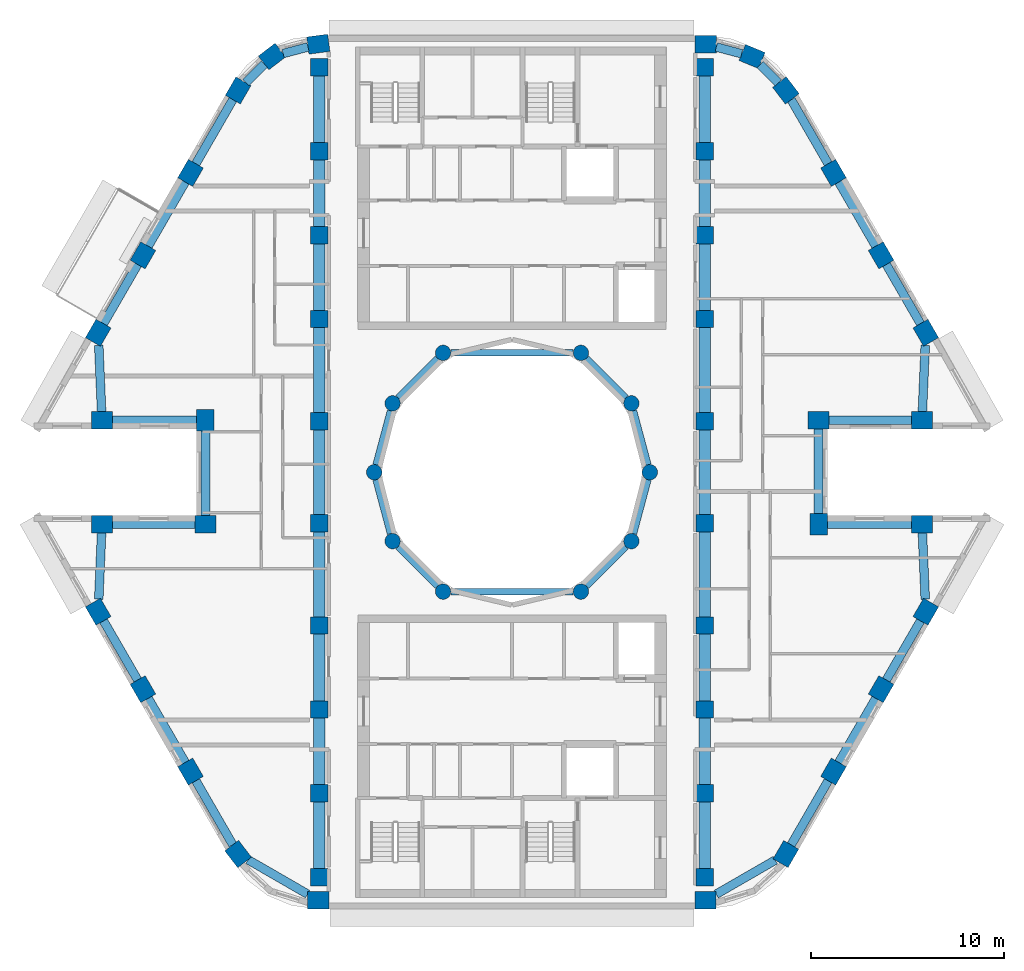
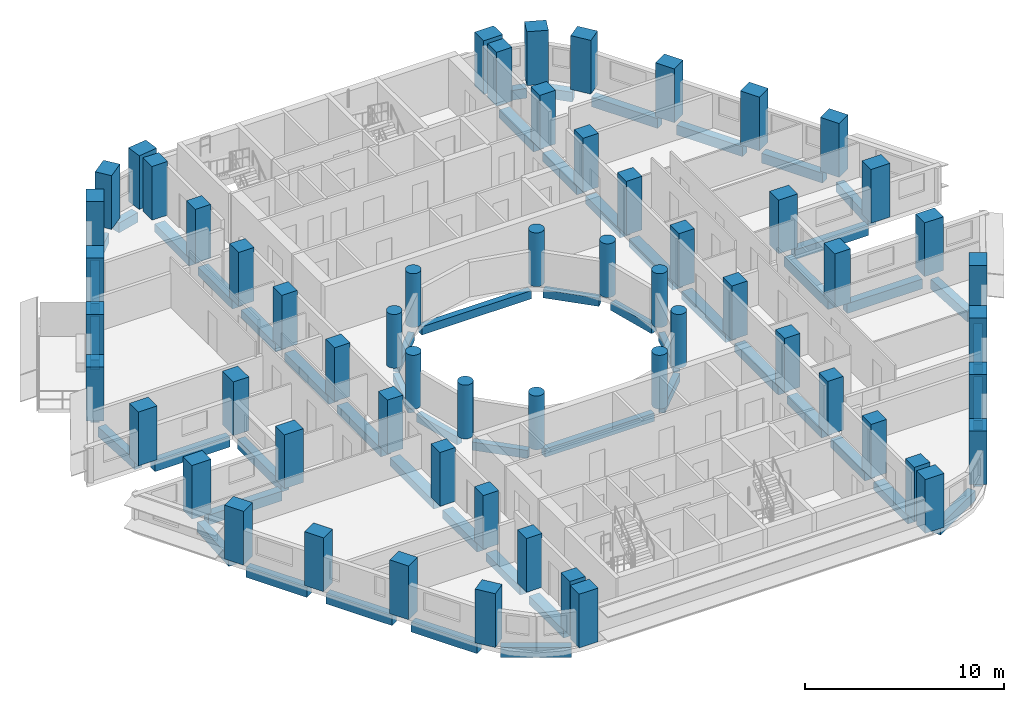
# One storey, part 1 of 13: 60 columns, 56 beams.
"""IFC4 building model written with IfcOpenShell, lengths in metres."""

from ifc_helpers import new_model, si_unit, direction, frame, origin, origin_2d, place, context, subcontext, project, spatial, rectangle, circle, extrude, material, material_profile, profile_set, type_object, element, save


model = new_model("IFC4")

# Units and contexts
model_context = context("Model", 3, precision=1e-05, world=origin(), true_north=direction((0.0, 1.0)))
body_context = subcontext(model_context, "Body", "Model", "MODEL_VIEW")
ifc_project = project(units=[si_unit("LENGTHUNIT", "METRE"), si_unit("AREAUNIT", "SQUARE_METRE"), si_unit("VOLUMEUNIT", "CUBIC_METRE"), si_unit("PLANEANGLEUNIT", "RADIAN"), si_unit("MASSUNIT", "GRAM", prefix="KILO")], contexts=[model_context])

# Site, building, storey
site_placement = place(None, origin())
site = spatial("IfcSite", under=ifc_project, at=site_placement, CompositionType="ELEMENT")
building_placement = place(site_placement, origin())
building = spatial("IfcBuilding", under=site, at=building_placement, Name="Nakaniwa Court", CompositionType="ELEMENT")
storey_placement = place(building_placement, frame((0.0, 0.0, 269.10009765625)))
storey = spatial("IfcBuildingStorey", under=building, at=storey_placement, Name="L71", CompositionType="ELEMENT", Elevation=269.10009765625)

# Columns
ifc_material = material(Name="Concrete C80/100", Category="concrete")
ifc_material_profile_1 = material_profile(ifc_material, rectangle(XDim=1.10009765625, YDim=0.89990234375, at=origin_2d()), Name="Concrete C80/100 RC 1100x900 perimeter column")
ifc_profile_set_1 = profile_set([ifc_material_profile_1], Name="Concrete C80/100")
column_type_1 = type_object("IfcColumnType", Name="Concrete C80/100 RC 1100x900 perimeter column", PredefinedType="COLUMN", material=ifc_profile_set_1)
for number, where, z_axis, x_axis, name in (
    (1, (69.95458984375, 102.199951171875, 0.0), (0.0, 0.0, 1.0), (-0.991442583111, -0.130543496177, 0.0), "COLUMN CO-01"),
    (2, (67.552001953125, 101.560302734375, 0.0), (0.0, 0.0, 1.0), (-0.793363965062, -0.608747582288, 0.0), "COLUMN CO-02"),
    (3, (65.796875, 99.799560546875, 0.0), (0.0, 0.0, 1.0), (-0.5, -0.866025403784, 0.0), "COLUMN CO-03"),
    (4, (63.328857421875, 95.524658203125, 0.0), (0.0, 0.0, 1.0), (-0.5, -0.866025403784, 0.0), "COLUMN CO-04"),
    (5, (60.860595703125, 91.249755859375, 0.0), (0.0, 0.0, 1.0), (-0.5, -0.866025403784, 0.0), "COLUMN CO-05"),
    (6, (58.541015625, 87.232177734375, 0.0), (0.0, 0.0, 1.0), (-0.5, -0.866025403784, 0.0), "COLUMN CO-06"),
    (7, (58.736083984375, 82.699951171875, 0.0), (0.0, 0.0, 1.0), (1.0, 0.0, 0.0), "COLUMN CO-08"),
    (8, (64.1005859375, 82.699951171875, 0.0), (0.0, 0.0, 1.0), (0.0, -1.0, 0.0), "COLUMN CO-09"),
    (9, (64.1005859375, 77.300048828125, 0.0), (0.0, 0.0, 1.0), (-1.0, 0.0, 0.0), "COLUMN CO-10"),
    (10, (58.736083984375, 77.300048828125, 0.0), (0.0, 0.0, 1.0), (-1.0, 0.0, 0.0), "COLUMN CO-11"),
    (11, (58.541015625, 72.767822265625, 0.0), (0.0, 0.0, 1.0), (0.5, -0.866025403784, 0.0), "COLUMN CO-13"),
    (12, (60.860595703125, 68.750244140625, 0.0), (0.0, 0.0, 1.0), (0.5, -0.866025403784, 0.0), "COLUMN CO-14"),
    (13, (63.328857421875, 64.475341796875, 0.0), (0.0, 0.0, 1.0), (0.5, -0.866025403784, 0.0), "COLUMN CO-15"),
    (14, (65.796875, 60.200439453125, 0.0), (0.0, 0.0, 1.0), (0.608761429009, -0.793353340291, 0.0), "COLUMN CO-16"),
    (15, (69.95458984375, 57.800048828125, 0.0), (0.0, 0.0, 1.0), (1.0, 0.0, 0.0), "COLUMN CO-17"),
    (16, (90.03955078125, 57.800048828125, 0.0), (0.0, 0.0, 1.0), (1.0, 0.0, 0.0), "COLUMN CO-21"),
    (17, (94.203125, 60.200439453125, 0.0), (0.0, 0.0, 1.0), (0.5, 0.866025403784, 0.0), "COLUMN CO-22"),
    (18, (96.671142578125, 64.475341796875, 0.0), (0.0, 0.0, 1.0), (0.5, 0.866025403784, 0.0), "COLUMN CO-23"),
    (19, (99.139404296875, 68.750244140625, 0.0), (0.0, 0.0, 1.0), (0.5, 0.866025403784, 0.0), "COLUMN CO-24"),
    (20, (101.458984375, 72.767822265625, 0.0), (0.0, 0.0, 1.0), (0.5, 0.866025403784, 0.0), "COLUMN CO-25"),
    (21, (101.263916015625, 77.300048828125, 0.0), (0.0, 0.0, 1.0), (-1.0, 0.0, 0.0), "COLUMN CO-27"),
    (22, (95.8994140625, 77.300048828125, 0.0), (0.0, 0.0, 1.0), (0.0, 1.0, 0.0), "COLUMN CO-28"),
    (23, (95.8994140625, 82.699951171875, 0.0), (0.0, 0.0, 1.0), (1.0, 0.0, 0.0), "COLUMN CO-29"),
    (24, (101.263916015625, 82.699951171875, 0.0), (0.0, 0.0, 1.0), (1.0, 0.0, 0.0), "COLUMN CO-30"),
    (25, (101.458984375, 87.232177734375, 0.0), (0.0, 0.0, 1.0), (-0.5, 0.866025403784, 0.0), "COLUMN CO-32"),
    (26, (99.139404296875, 91.249755859375, 0.0), (0.0, 0.0, 1.0), (-0.5, 0.866025403784, 0.0), "COLUMN CO-33"),
    (27, (96.671142578125, 95.524658203125, 0.0), (0.0, 0.0, 1.0), (-0.5, 0.866025403784, 0.0), "COLUMN CO-34"),
    (28, (94.203125, 99.799560546875, 0.0), (0.0, 0.0, 1.0), (-0.608761429009, 0.793353340291, 0.0), "COLUMN CO-35"),
    (29, (92.447998046875, 101.560302734375, 0.0), (0.0, 0.0, 1.0), (-0.923879532511, 0.382683432365, 0.0), "COLUMN CO-36"),
    (30, (90.04541015625, 102.199951171875, 0.0), (0.0, 0.0, 1.0), (-1.0, 0.0, 0.0), "COLUMN CO-37"),
):
    element("IfcColumn", number, at=place(storey_placement, frame(where, z_axis=z_axis, x_axis=x_axis)), inside=storey, type_object=column_type_1, Name=name, PredefinedType="COLUMN", context=body_context, shape_type="SweptSolid", body=[
        extrude(rectangle(XDim=1.10009765625, YDim=0.89990234375, at=origin_2d()), origin(), (0.0, 0.0, 1.0), 3.2998046875),
    ])
ifc_material_profile_2 = material_profile(ifc_material, rectangle(XDim=0.89990234375, YDim=0.89990234375, at=origin_2d()), Name="Concrete C80/100 RC 900x900 spine column")
ifc_profile_set_2 = profile_set([ifc_material_profile_2], Name="Concrete C80/100")
column_type_2 = type_object("IfcColumnType", Name="Concrete C80/100 RC 900x900 spine column", PredefinedType="COLUMN", material=ifc_profile_set_2)
for number, where, z_axis, x_axis, name in (
    (31, (90.0, 59.0, 0.0), (0.0, 0.0, 1.0), (0.0, 1.0, 0.0), "COLUMN CS-01"),
    (32, (90.0, 63.35009765625, 0.0), (0.0, 0.0, 1.0), (0.0, 1.0, 0.0), "COLUMN CS-02"),
    (33, (90.0, 67.699951171875, 0.0), (0.0, 0.0, 1.0), (0.0, 1.0, 0.0), "COLUMN CS-03"),
    (34, (90.0, 72.050048828125, 0.0), (0.0, 0.0, 1.0), (0.0, 1.0, 0.0), "COLUMN CS-04"),
    (35, (90.0, 77.35009765625, 0.0), (0.0, 0.0, 1.0), (0.0, 1.0, 0.0), "COLUMN CS-05"),
    (36, (90.0, 82.64990234375, 0.0), (0.0, 0.0, 1.0), (0.0, 1.0, 0.0), "COLUMN CS-06"),
    (37, (90.0, 87.949951171875, 0.0), (0.0, 0.0, 1.0), (0.0, 1.0, 0.0), "COLUMN CS-07"),
    (38, (90.0, 92.300048828125, 0.0), (0.0, 0.0, 1.0), (0.0, 1.0, 0.0), "COLUMN CS-08"),
    (39, (90.0, 96.64990234375, 0.0), (0.0, 0.0, 1.0), (0.0, 1.0, 0.0), "COLUMN CS-09"),
    (40, (90.0, 101.0, 0.0), (0.0, 0.0, 1.0), (0.0, 1.0, 0.0), "COLUMN CS-10"),
    (41, (70.0, 101.0, 0.0), (0.0, 0.0, 1.0), (0.0, -1.0, 0.0), "COLUMN CS-11"),
    (42, (70.0, 96.64990234375, 0.0), (0.0, 0.0, 1.0), (0.0, -1.0, 0.0), "COLUMN CS-12"),
    (43, (70.0, 92.300048828125, 0.0), (0.0, 0.0, 1.0), (0.0, -1.0, 0.0), "COLUMN CS-13"),
    (44, (70.0, 87.949951171875, 0.0), (0.0, 0.0, 1.0), (0.0, -1.0, 0.0), "COLUMN CS-14"),
    (45, (70.0, 82.64990234375, 0.0), (0.0, 0.0, 1.0), (0.0, -1.0, 0.0), "COLUMN CS-15"),
    (46, (70.0, 77.35009765625, 0.0), (0.0, 0.0, 1.0), (0.0, -1.0, 0.0), "COLUMN CS-16"),
    (47, (70.0, 72.050048828125, 0.0), (0.0, 0.0, 1.0), (0.0, -1.0, 0.0), "COLUMN CS-17"),
    (48, (70.0, 67.699951171875, 0.0), (0.0, 0.0, 1.0), (0.0, -1.0, 0.0), "COLUMN CS-18"),
    (49, (70.0, 63.35009765625, 0.0), (0.0, 0.0, 1.0), (0.0, -1.0, 0.0), "COLUMN CS-19"),
    (50, (70.0, 59.0, 0.0), (0.0, 0.0, 1.0), (0.0, -1.0, 0.0), "COLUMN CS-20"),
):
    element("IfcColumn", number, at=place(storey_placement, frame(where, z_axis=z_axis, x_axis=x_axis)), inside=storey, type_object=column_type_2, Name=name, PredefinedType="COLUMN", context=body_context, shape_type="SweptSolid", body=[
        extrude(rectangle(XDim=0.89990234375, YDim=0.89990234375, at=origin_2d()), origin(), (0.0, 0.0, 1.0), 3.2998046875),
    ])
ifc_material_profile_3 = material_profile(ifc_material, circle(Radius=0.39990234375, at=origin_2d()), Name="Concrete C80/100 RC D800 inner ring column")
ifc_profile_set_3 = profile_set([ifc_material_profile_3], Name="Concrete C80/100")
column_type_3 = type_object("IfcColumnType", Name="Concrete C80/100 RC D800 inner ring column", PredefinedType="COLUMN", material=ifc_profile_set_3)
for number, where, z_axis, x_axis, name in (
    (51, (87.14990234375, 80.0, 0.0), (0.0, 0.0, 1.0), (0.0, 1.0, 0.0), "COLUMN CI-01"),
    (52, (86.192138671875, 83.574951171875, 0.0), (0.0, 0.0, 1.0), (-0.5, 0.866025403784, 0.0), "COLUMN CI-02"),
    (53, (83.574951171875, 86.192138671875, 0.0), (0.0, 0.0, 1.0), (-0.866025403784, 0.5, 0.0), "COLUMN CI-03"),
    (54, (76.425048828125, 86.192138671875, 0.0), (0.0, 0.0, 1.0), (-0.866025403784, -0.5, 0.0), "COLUMN CI-05"),
    (55, (73.807861328125, 83.574951171875, 0.0), (0.0, 0.0, 1.0), (-0.5, -0.866025403784, 0.0), "COLUMN CI-06"),
    (56, (72.85009765625, 80.0, 0.0), (0.0, 0.0, 1.0), (0.0, -1.0, 0.0), "COLUMN CI-07"),
    (57, (73.807861328125, 76.425048828125, 0.0), (0.0, 0.0, 1.0), (0.5, -0.866025403784, 0.0), "COLUMN CI-08"),
    (58, (76.425048828125, 73.807861328125, 0.0), (0.0, 0.0, 1.0), (0.866025403784, -0.5, 0.0), "COLUMN CI-09"),
    (59, (83.574951171875, 73.807861328125, 0.0), (0.0, 0.0, 1.0), (0.866025403784, 0.5, 0.0), "COLUMN CI-11"),
    (60, (86.192138671875, 76.425048828125, 0.0), (0.0, 0.0, 1.0), (0.5, 0.866025403784, 0.0), "COLUMN CI-12"),
):
    element("IfcColumn", number, at=place(storey_placement, frame(where, z_axis=z_axis, x_axis=x_axis)), inside=storey, type_object=column_type_3, Name=name, PredefinedType="COLUMN", context=body_context, shape_type="SweptSolid", body=[
        extrude(circle(Radius=0.39990234375, at=origin_2d()), origin(), (0.0, 0.0, 1.0), 3.2998046875),
    ])

# Beams
ifc_material_profile_4 = material_profile(ifc_material, rectangle(XDim=0.35009765625, YDim=0.5, at=origin_2d()), Name="Concrete C80/100 RC 350x500 ring beam")
ifc_profile_set_4 = profile_set([ifc_material_profile_4], Name="Concrete C80/100")
beam_type_1 = type_object("IfcBeamType", Name="Concrete C80/100 RC 350x500 ring beam", PredefinedType="BEAM", material=ifc_profile_set_4)
beam_1_placement = place(storey_placement, frame((87.04638671875, 80.386474609375, -0.525146484375), z_axis=(-0.258778150207, 0.965936783115, 0.0), x_axis=(-0.965936783115, -0.258778150207, 0.0)))
element("IfcBeam", 61, at=beam_1_placement, inside=storey, type_object=beam_type_1, Name="RING BEAM", PredefinedType="BEAM", context=body_context, shape_type="SweptSolid", body=[
    extrude(rectangle(XDim=0.35009765625, YDim=0.5, at=origin_2d()), origin(), (0.0, 0.0, 1.0), 2.901123046875),
])
beam_2_placement = place(storey_placement, frame((85.9091796875, 83.85791015625, -0.525146484375), z_axis=(-0.707106781187, 0.707106781187, 0.0), x_axis=(-0.707106781187, -0.707106781187, 0.0)))
element("IfcBeam", 62, at=beam_2_placement, inside=storey, type_object=beam_type_1, Name="RING BEAM", PredefinedType="BEAM", context=body_context, shape_type="SweptSolid", body=[
    extrude(rectangle(XDim=0.35009765625, YDim=0.5, at=origin_2d()), origin(), (0.0, 0.0, 1.0), 2.90087890625),
])
beam_3_placement = place(storey_placement, frame((83.175048828125, 86.192138671875, -0.525146484375), z_axis=(-1.0, 0.0, 0.0), x_axis=(0.0, -1.0, 0.0)))
element("IfcBeam", 63, at=beam_3_placement, inside=storey, type_object=beam_type_1, Name="RING BEAM", PredefinedType="BEAM", context=body_context, shape_type="SweptSolid", body=[
    extrude(rectangle(XDim=0.35009765625, YDim=0.5, at=origin_2d()), origin(), (0.0, 0.0, 1.0), 6.35009765625),
])
beam_4_placement = place(storey_placement, frame((76.14208984375, 85.9091796875, -0.525146484375), z_axis=(-0.707106781187, -0.707106781187, 0.0), x_axis=(0.707106781187, -0.707106781187, 0.0)))
element("IfcBeam", 64, at=beam_4_placement, inside=storey, type_object=beam_type_1, Name="RING BEAM", PredefinedType="BEAM", context=body_context, shape_type="SweptSolid", body=[
    extrude(rectangle(XDim=0.35009765625, YDim=0.5, at=origin_2d()), origin(), (0.0, 0.0, 1.0), 2.90087890625),
])
for number, where, z_axis, x_axis, name in (
    (65, (73.704345703125, 83.188720703125, -0.525146484375), (-0.258778150207, -0.965936783115, 0.0), (0.965936783115, -0.258778150207, 0.0), "RING BEAM"),
    (66, (72.95361328125, 79.613525390625, -0.525146484375), (0.258778150207, -0.965936783115, 0.0), (0.965936783115, 0.258778150207, 0.0), "RING BEAM"),
):
    element("IfcBeam", number, at=place(storey_placement, frame(where, z_axis=z_axis, x_axis=x_axis)), inside=storey, type_object=beam_type_1, Name=name, PredefinedType="BEAM", context=body_context, shape_type="SweptSolid", body=[
        extrude(rectangle(XDim=0.35009765625, YDim=0.5, at=origin_2d()), origin(), (0.0, 0.0, 1.0), 2.901123046875),
    ])
beam_5_placement = place(storey_placement, frame((74.0908203125, 76.14208984375, -0.525146484375), z_axis=(0.707106781187, -0.707106781187, 0.0), x_axis=(0.707106781187, 0.707106781187, 0.0)))
element("IfcBeam", 67, at=beam_5_placement, inside=storey, type_object=beam_type_1, Name="RING BEAM", PredefinedType="BEAM", context=body_context, shape_type="SweptSolid", body=[
    extrude(rectangle(XDim=0.35009765625, YDim=0.5, at=origin_2d()), origin(), (0.0, 0.0, 1.0), 2.90087890625),
])
beam_6_placement = place(storey_placement, frame((76.824951171875, 73.807861328125, -0.525146484375), z_axis=(1.0, 0.0, 0.0), x_axis=(0.0, 1.0, 0.0)))
element("IfcBeam", 68, at=beam_6_placement, inside=storey, type_object=beam_type_1, Name="RING BEAM", PredefinedType="BEAM", context=body_context, shape_type="SweptSolid", body=[
    extrude(rectangle(XDim=0.35009765625, YDim=0.5, at=origin_2d()), origin(), (0.0, 0.0, 1.0), 6.35009765625),
])
beam_7_placement = place(storey_placement, frame((83.85791015625, 74.0908203125, -0.525146484375), z_axis=(0.707106781187, 0.707106781187, 0.0), x_axis=(-0.707106781187, 0.707106781187, 0.0)))
element("IfcBeam", 69, at=beam_7_placement, inside=storey, type_object=beam_type_1, Name="RING BEAM", PredefinedType="BEAM", context=body_context, shape_type="SweptSolid", body=[
    extrude(rectangle(XDim=0.35009765625, YDim=0.5, at=origin_2d()), origin(), (0.0, 0.0, 1.0), 2.90087890625),
])
beam_8_placement = place(storey_placement, frame((86.295654296875, 76.811279296875, -0.525146484375), z_axis=(0.258778150207, 0.965936783115, 0.0), x_axis=(-0.965936783115, 0.258778150207, 0.0)))
element("IfcBeam", 70, at=beam_8_placement, inside=storey, type_object=beam_type_1, Name="RING BEAM", PredefinedType="BEAM", context=body_context, shape_type="SweptSolid", body=[
    extrude(rectangle(XDim=0.35009765625, YDim=0.5, at=origin_2d()), origin(), (0.0, 0.0, 1.0), 2.901123046875),
])
ifc_material_profile_5 = material_profile(ifc_material, rectangle(XDim=0.449951171875, YDim=0.60009765625, at=origin_2d()), Name="Concrete C80/100 RC 450x600 spandrel beam")
ifc_profile_set_5 = profile_set([ifc_material_profile_5], Name="Concrete C80/100")
beam_type_2 = type_object("IfcBeamType", Name="Concrete C80/100 RC 450x600 spandrel beam", PredefinedType="BEAM", material=ifc_profile_set_5)
beam_9_placement = place(storey_placement, frame((69.418701171875, 102.057373046875, -0.5751953125), z_axis=(-0.966286479475, -0.257469298332, 0.0), x_axis=(0.257469298332, -0.966286479475, 0.0)))
element("IfcBeam", 71, at=beam_9_placement, inside=storey, type_object=beam_type_2, Name="SPANDREL BEAM", PredefinedType="BEAM", context=body_context, shape_type="SweptSolid", body=[
    extrude(rectangle(XDim=0.449951171875, YDim=0.60009765625, at=origin_2d()), origin(), (0.0, 0.0, 1.0), 1.3359375),
])
beam_10_placement = place(storey_placement, frame((67.160400390625, 101.167236328125, -0.5751953125), z_axis=(-0.706030517025, -0.708181409689, 0.0), x_axis=(0.708181409689, -0.706030517025, 0.0)))
element("IfcBeam", 72, at=beam_10_placement, inside=storey, type_object=beam_type_2, Name="SPANDREL BEAM", PredefinedType="BEAM", context=body_context, shape_type="SweptSolid", body=[
    extrude(rectangle(XDim=0.449951171875, YDim=0.60009765625, at=origin_2d()), origin(), (0.0, 0.0, 1.0), 1.362060546875),
])
for number, where, z_axis, x_axis, name in (
    (73, (65.52197265625, 99.3232421875, -0.5751953125), (-0.50001992892, -0.866013897511, 0.0), (0.866013897511, -0.50001992892, 0.0), "SPANDREL BEAM"),
    (74, (63.0537109375, 95.04833984375, -0.5751953125), (-0.499972197867, -0.866041454758, 0.0), (0.866041454758, -0.499972197867, 0.0), "SPANDREL BEAM"),
):
    element("IfcBeam", number, at=place(storey_placement, frame(where, z_axis=z_axis, x_axis=x_axis)), inside=storey, type_object=beam_type_2, Name=name, PredefinedType="BEAM", context=body_context, shape_type="SweptSolid", body=[
        extrude(rectangle(XDim=0.449951171875, YDim=0.60009765625, at=origin_2d()), origin(), (0.0, 0.0, 1.0), 3.836181640625),
    ])
beam_11_placement = place(storey_placement, frame((60.585693359375, 90.7734375, -0.5751953125), z_axis=(-0.499997139945, -0.866027055032, 0.0), x_axis=(0.866027055032, -0.499997139945, 0.0)))
element("IfcBeam", 75, at=beam_11_placement, inside=storey, type_object=beam_type_2, Name="SPANDREL BEAM", PredefinedType="BEAM", context=body_context, shape_type="SweptSolid", body=[
    extrude(rectangle(XDim=0.449951171875, YDim=0.60009765625, at=origin_2d()), origin(), (0.0, 0.0, 1.0), 3.5390625),
])
beam_12_placement = place(storey_placement, frame((58.569091796875, 86.580810546875, -0.5751953125), z_axis=(0.042940503042, -0.999077631217, 0.0), x_axis=(0.999077631217, 0.042940503042, 0.0)))
element("IfcBeam", 76, at=beam_12_placement, inside=storey, type_object=beam_type_2, Name="SPANDREL BEAM", PredefinedType="BEAM", context=body_context, shape_type="SweptSolid", body=[
    extrude(rectangle(XDim=0.449951171875, YDim=0.60009765625, at=origin_2d()), origin(), (0.0, 0.0, 1.0), 3.43408203125),
])
beam_13_placement = place(storey_placement, frame((59.285888671875, 82.699951171875, -0.5751953125), z_axis=(1.0, 0.0, 0.0), x_axis=(0.0, 1.0, 0.0)))
element("IfcBeam", 77, at=beam_13_placement, inside=storey, type_object=beam_type_2, Name="SPANDREL BEAM", PredefinedType="BEAM", context=body_context, shape_type="SweptSolid", body=[
    extrude(rectangle(XDim=0.449951171875, YDim=0.60009765625, at=origin_2d()), origin(), (0.0, 0.0, 1.0), 4.364501953125),
])
beam_14_placement = place(storey_placement, frame((64.1005859375, 82.14990234375, -0.5751953125), z_axis=(0.0, -1.0, 0.0), x_axis=(1.0, 0.0, 0.0)))
element("IfcBeam", 78, at=beam_14_placement, inside=storey, type_object=beam_type_2, Name="SPANDREL BEAM", PredefinedType="BEAM", context=body_context, shape_type="SweptSolid", body=[
    extrude(rectangle(XDim=0.449951171875, YDim=0.60009765625, at=origin_2d()), origin(), (0.0, 0.0, 1.0), 4.39990234375),
])
beam_15_placement = place(storey_placement, frame((63.550537109375, 77.300048828125, -0.5751953125), z_axis=(-1.0, 0.0, 0.0), x_axis=(0.0, -1.0, 0.0)))
element("IfcBeam", 79, at=beam_15_placement, inside=storey, type_object=beam_type_2, Name="SPANDREL BEAM", PredefinedType="BEAM", context=body_context, shape_type="SweptSolid", body=[
    extrude(rectangle(XDim=0.449951171875, YDim=0.60009765625, at=origin_2d()), origin(), (0.0, 0.0, 1.0), 4.2646484375),
])
beam_16_placement = place(storey_placement, frame((58.716552734375, 76.85009765625, -0.5751953125), z_axis=(-0.042940503042, -0.999077631217, 0.0), x_axis=(0.999077631217, -0.042940503042, 0.0)))
element("IfcBeam", 80, at=beam_16_placement, inside=storey, type_object=beam_type_2, Name="SPANDREL BEAM", PredefinedType="BEAM", context=body_context, shape_type="SweptSolid", body=[
    extrude(rectangle(XDim=0.449951171875, YDim=0.60009765625, at=origin_2d()), origin(), (0.0, 0.0, 1.0), 3.43408203125),
])
beam_17_placement = place(storey_placement, frame((58.816162109375, 72.29150390625, -0.5751953125), z_axis=(0.499997139945, -0.866027055032, 0.0), x_axis=(0.866027055032, 0.499997139945, 0.0)))
element("IfcBeam", 81, at=beam_17_placement, inside=storey, type_object=beam_type_2, Name="SPANDREL BEAM", PredefinedType="BEAM", context=body_context, shape_type="SweptSolid", body=[
    extrude(rectangle(XDim=0.449951171875, YDim=0.60009765625, at=origin_2d()), origin(), (0.0, 0.0, 1.0), 3.5390625),
])
beam_18_placement = place(storey_placement, frame((61.1357421875, 68.27392578125, -0.5751953125), z_axis=(0.499972197867, -0.866041454758, 0.0), x_axis=(0.866041454758, 0.499972197867, 0.0)))
element("IfcBeam", 82, at=beam_18_placement, inside=storey, type_object=beam_type_2, Name="SPANDREL BEAM", PredefinedType="BEAM", context=body_context, shape_type="SweptSolid", body=[
    extrude(rectangle(XDim=0.449951171875, YDim=0.60009765625, at=origin_2d()), origin(), (0.0, 0.0, 1.0), 3.836181640625),
])
beam_19_placement = place(storey_placement, frame((63.603759765625, 63.9990234375, -0.5751953125), z_axis=(0.500011110731, -0.866018988906, 0.0), x_axis=(0.866018988906, 0.500011110731, 0.0)))
element("IfcBeam", 83, at=beam_19_placement, inside=storey, type_object=beam_type_2, Name="SPANDREL BEAM", PredefinedType="BEAM", context=body_context, shape_type="SweptSolid", body=[
    extrude(rectangle(XDim=0.449951171875, YDim=0.60009765625, at=origin_2d()), origin(), (0.0, 0.0, 1.0), 3.83154296875),
])
beam_20_placement = place(storey_placement, frame((66.3125, 59.90283203125, -0.5751953125), z_axis=(0.866017069707, -0.500014434768, 0.0), x_axis=(0.500014434768, 0.866017069707, 0.0)))
element("IfcBeam", 84, at=beam_20_placement, inside=storey, type_object=beam_type_2, Name="SPANDREL BEAM", PredefinedType="BEAM", context=body_context, shape_type="SweptSolid", body=[
    extrude(rectangle(XDim=0.449951171875, YDim=0.60009765625, at=origin_2d()), origin(), (0.0, 0.0, 1.0), 3.57080078125),
])
beam_21_placement = place(storey_placement, frame((90.589599609375, 58.1171875, -0.5751953125), z_axis=(0.866307414098, 0.499511225378, 0.0), x_axis=(-0.499511225378, 0.866307414098, 0.0)))
element("IfcBeam", 85, at=beam_21_placement, inside=storey, type_object=beam_type_2, Name="SPANDREL BEAM", PredefinedType="BEAM", context=body_context, shape_type="SweptSolid", body=[
    extrude(rectangle(XDim=0.449951171875, YDim=0.60009765625, at=origin_2d()), origin(), (0.0, 0.0, 1.0), 3.53564453125),
])
for number, where, z_axis, x_axis, name in (
    (86, (94.47802734375, 60.6767578125, -0.5751953125), (0.50001992892, 0.866013897511, 0.0), (-0.866013897511, 0.50001992892, 0.0), "SPANDREL BEAM"),
    (87, (96.9462890625, 64.95166015625, -0.5751953125), (0.499972197867, 0.866041454758, 0.0), (-0.866041454758, 0.499972197867, 0.0), "SPANDREL BEAM"),
):
    element("IfcBeam", number, at=place(storey_placement, frame(where, z_axis=z_axis, x_axis=x_axis)), inside=storey, type_object=beam_type_2, Name=name, PredefinedType="BEAM", context=body_context, shape_type="SweptSolid", body=[
        extrude(rectangle(XDim=0.449951171875, YDim=0.60009765625, at=origin_2d()), origin(), (0.0, 0.0, 1.0), 3.836181640625),
    ])
beam_22_placement = place(storey_placement, frame((99.414306640625, 69.2265625, -0.5751953125), z_axis=(0.499997139945, 0.866027055032, 0.0), x_axis=(-0.866027055032, 0.499997139945, 0.0)))
element("IfcBeam", 88, at=beam_22_placement, inside=storey, type_object=beam_type_2, Name="SPANDREL BEAM", PredefinedType="BEAM", context=body_context, shape_type="SweptSolid", body=[
    extrude(rectangle(XDim=0.449951171875, YDim=0.60009765625, at=origin_2d()), origin(), (0.0, 0.0, 1.0), 3.5390625),
])
beam_23_placement = place(storey_placement, frame((101.430908203125, 73.419189453125, -0.5751953125), z_axis=(-0.042940503042, 0.999077631217, 0.0), x_axis=(-0.999077631217, -0.042940503042, 0.0)))
element("IfcBeam", 89, at=beam_23_placement, inside=storey, type_object=beam_type_2, Name="SPANDREL BEAM", PredefinedType="BEAM", context=body_context, shape_type="SweptSolid", body=[
    extrude(rectangle(XDim=0.449951171875, YDim=0.60009765625, at=origin_2d()), origin(), (0.0, 0.0, 1.0), 3.43408203125),
])
beam_24_placement = place(storey_placement, frame((100.714111328125, 77.300048828125, -0.5751953125), z_axis=(-1.0, 0.0, 0.0), x_axis=(0.0, -1.0, 0.0)))
element("IfcBeam", 90, at=beam_24_placement, inside=storey, type_object=beam_type_2, Name="SPANDREL BEAM", PredefinedType="BEAM", context=body_context, shape_type="SweptSolid", body=[
    extrude(rectangle(XDim=0.449951171875, YDim=0.60009765625, at=origin_2d()), origin(), (0.0, 0.0, 1.0), 4.364501953125),
])
beam_25_placement = place(storey_placement, frame((95.8994140625, 77.85009765625, -0.5751953125), z_axis=(0.0, 1.0, 0.0), x_axis=(-1.0, 0.0, 0.0)))
element("IfcBeam", 91, at=beam_25_placement, inside=storey, type_object=beam_type_2, Name="SPANDREL BEAM", PredefinedType="BEAM", context=body_context, shape_type="SweptSolid", body=[
    extrude(rectangle(XDim=0.449951171875, YDim=0.60009765625, at=origin_2d()), origin(), (0.0, 0.0, 1.0), 4.39990234375),
])
beam_26_placement = place(storey_placement, frame((96.449462890625, 82.699951171875, -0.5751953125), z_axis=(1.0, 0.0, 0.0), x_axis=(0.0, 1.0, 0.0)))
element("IfcBeam", 92, at=beam_26_placement, inside=storey, type_object=beam_type_2, Name="SPANDREL BEAM", PredefinedType="BEAM", context=body_context, shape_type="SweptSolid", body=[
    extrude(rectangle(XDim=0.449951171875, YDim=0.60009765625, at=origin_2d()), origin(), (0.0, 0.0, 1.0), 4.2646484375),
])
beam_27_placement = place(storey_placement, frame((101.283447265625, 83.14990234375, -0.5751953125), z_axis=(0.042940503042, 0.999077631217, 0.0), x_axis=(-0.999077631217, 0.042940503042, 0.0)))
element("IfcBeam", 93, at=beam_27_placement, inside=storey, type_object=beam_type_2, Name="SPANDREL BEAM", PredefinedType="BEAM", context=body_context, shape_type="SweptSolid", body=[
    extrude(rectangle(XDim=0.449951171875, YDim=0.60009765625, at=origin_2d()), origin(), (0.0, 0.0, 1.0), 3.43408203125),
])
beam_28_placement = place(storey_placement, frame((101.183837890625, 87.70849609375, -0.5751953125), z_axis=(-0.499997139945, 0.866027055032, 0.0), x_axis=(-0.866027055032, -0.499997139945, 0.0)))
element("IfcBeam", 94, at=beam_28_placement, inside=storey, type_object=beam_type_2, Name="SPANDREL BEAM", PredefinedType="BEAM", context=body_context, shape_type="SweptSolid", body=[
    extrude(rectangle(XDim=0.449951171875, YDim=0.60009765625, at=origin_2d()), origin(), (0.0, 0.0, 1.0), 3.5390625),
])
beam_29_placement = place(storey_placement, frame((98.8642578125, 91.72607421875, -0.5751953125), z_axis=(-0.499972197867, 0.866041454758, 0.0), x_axis=(-0.866041454758, -0.499972197867, 0.0)))
element("IfcBeam", 95, at=beam_29_placement, inside=storey, type_object=beam_type_2, Name="SPANDREL BEAM", PredefinedType="BEAM", context=body_context, shape_type="SweptSolid", body=[
    extrude(rectangle(XDim=0.449951171875, YDim=0.60009765625, at=origin_2d()), origin(), (0.0, 0.0, 1.0), 3.836181640625),
])
beam_30_placement = place(storey_placement, frame((96.396240234375, 96.0009765625, -0.5751953125), z_axis=(-0.500011110731, 0.866018988906, 0.0), x_axis=(-0.866018988906, -0.500011110731, 0.0)))
element("IfcBeam", 96, at=beam_30_placement, inside=storey, type_object=beam_type_2, Name="SPANDREL BEAM", PredefinedType="BEAM", context=body_context, shape_type="SweptSolid", body=[
    extrude(rectangle(XDim=0.449951171875, YDim=0.60009765625, at=origin_2d()), origin(), (0.0, 0.0, 1.0), 3.83154296875),
])
beam_31_placement = place(storey_placement, frame((93.8115234375, 100.1923828125, -0.5751953125), z_axis=(-0.706100745773, 0.708111387296, 0.0), x_axis=(-0.708111387296, -0.706100745773, 0.0)))
element("IfcBeam", 97, at=beam_31_placement, inside=storey, type_object=beam_type_2, Name="SPANDREL BEAM", PredefinedType="BEAM", context=body_context, shape_type="SweptSolid", body=[
    extrude(rectangle(XDim=0.449951171875, YDim=0.60009765625, at=origin_2d()), origin(), (0.0, 0.0, 1.0), 1.335693359375),
])
beam_32_placement = place(storey_placement, frame((91.91162109375, 101.702880859375, -0.5751953125), z_axis=(-0.966318174979, 0.257350315146, 0.0), x_axis=(-0.257350315146, -0.966318174979, 0.0)))
element("IfcBeam", 98, at=beam_32_placement, inside=storey, type_object=beam_type_2, Name="SPANDREL BEAM", PredefinedType="BEAM", context=body_context, shape_type="SweptSolid", body=[
    extrude(rectangle(XDim=0.449951171875, YDim=0.60009765625, at=origin_2d()), origin(), (0.0, 0.0, 1.0), 1.3623046875),
])
ifc_material_profile_6 = material_profile(ifc_material, rectangle(XDim=0.60009765625, YDim=0.5, at=origin_2d()), Name="Concrete C80/100 RC 600x500 ring beam")
ifc_profile_set_6 = profile_set([ifc_material_profile_6], Name="Concrete C80/100")
beam_type_3 = type_object("IfcBeamType", Name="Concrete C80/100 RC 600x500 ring beam", PredefinedType="BEAM", material=ifc_profile_set_6)
for number, where, z_axis, x_axis, name in (
    (99, (90.0, 59.449951171875, -0.525146484375), (0.0, 1.0, 0.0), (-1.0, 0.0, 0.0), "RING BEAM"),
    (100, (90.0, 63.800048828125, -0.525146484375), (0.0, 1.0, 0.0), (-1.0, 0.0, 0.0), "RING BEAM"),
):
    element("IfcBeam", number, at=place(storey_placement, frame(where, z_axis=z_axis, x_axis=x_axis)), inside=storey, type_object=beam_type_3, Name=name, PredefinedType="BEAM", context=body_context, shape_type="SweptSolid", body=[
        extrude(rectangle(XDim=0.60009765625, YDim=0.5, at=origin_2d()), origin(), (0.0, 0.0, 1.0), 3.449951171875),
    ])
beam_33_placement = place(storey_placement, frame((90.0, 68.14990234375, -0.525146484375), z_axis=(0.0, 1.0, 0.0), x_axis=(-1.0, 0.0, 0.0)))
element("IfcBeam", 101, at=beam_33_placement, inside=storey, type_object=beam_type_3, Name="RING BEAM", PredefinedType="BEAM", context=body_context, shape_type="SweptSolid", body=[
    extrude(rectangle(XDim=0.60009765625, YDim=0.5, at=origin_2d()), origin(), (0.0, 0.0, 1.0), 3.4501953125),
])
for number, where, z_axis, x_axis, name in (
    (102, (90.0, 72.5, -0.525146484375), (0.0, 1.0, 0.0), (-1.0, 0.0, 0.0), "RING BEAM"),
    (103, (90.0, 77.800048828125, -0.525146484375), (0.0, 1.0, 0.0), (-1.0, 0.0, 0.0), "RING BEAM"),
    (104, (90.0, 83.10009765625, -0.525146484375), (0.0, 1.0, 0.0), (-1.0, 0.0, 0.0), "RING BEAM"),
):
    element("IfcBeam", number, at=place(storey_placement, frame(where, z_axis=z_axis, x_axis=x_axis)), inside=storey, type_object=beam_type_3, Name=name, PredefinedType="BEAM", context=body_context, shape_type="SweptSolid", body=[
        extrude(rectangle(XDim=0.60009765625, YDim=0.5, at=origin_2d()), origin(), (0.0, 0.0, 1.0), 4.39990234375),
    ])
beam_34_placement = place(storey_placement, frame((90.0, 88.39990234375, -0.525146484375), z_axis=(0.0, 1.0, 0.0), x_axis=(-1.0, 0.0, 0.0)))
element("IfcBeam", 105, at=beam_34_placement, inside=storey, type_object=beam_type_3, Name="RING BEAM", PredefinedType="BEAM", context=body_context, shape_type="SweptSolid", body=[
    extrude(rectangle(XDim=0.60009765625, YDim=0.5, at=origin_2d()), origin(), (0.0, 0.0, 1.0), 3.4501953125),
])
for number, where, z_axis, x_axis, name in (
    (106, (90.0, 92.75, -0.525146484375), (0.0, 1.0, 0.0), (-1.0, 0.0, 0.0), "RING BEAM"),
    (107, (90.0, 97.10009765625, -0.525146484375), (0.0, 1.0, 0.0), (-1.0, 0.0, 0.0), "RING BEAM"),
    (108, (70.0, 100.550048828125, -0.525146484375), (0.0, -1.0, 0.0), (1.0, 0.0, 0.0), "RING BEAM"),
    (109, (70.0, 96.199951171875, -0.525146484375), (0.0, -1.0, 0.0), (1.0, 0.0, 0.0), "RING BEAM"),
):
    element("IfcBeam", number, at=place(storey_placement, frame(where, z_axis=z_axis, x_axis=x_axis)), inside=storey, type_object=beam_type_3, Name=name, PredefinedType="BEAM", context=body_context, shape_type="SweptSolid", body=[
        extrude(rectangle(XDim=0.60009765625, YDim=0.5, at=origin_2d()), origin(), (0.0, 0.0, 1.0), 3.449951171875),
    ])
beam_35_placement = place(storey_placement, frame((70.0, 91.85009765625, -0.525146484375), z_axis=(0.0, -1.0, 0.0), x_axis=(1.0, 0.0, 0.0)))
element("IfcBeam", 110, at=beam_35_placement, inside=storey, type_object=beam_type_3, Name="RING BEAM", PredefinedType="BEAM", context=body_context, shape_type="SweptSolid", body=[
    extrude(rectangle(XDim=0.60009765625, YDim=0.5, at=origin_2d()), origin(), (0.0, 0.0, 1.0), 3.4501953125),
])
for number, where, z_axis, x_axis, name in (
    (111, (70.0, 87.5, -0.525146484375), (0.0, -1.0, 0.0), (1.0, 0.0, 0.0), "RING BEAM"),
    (112, (70.0, 82.199951171875, -0.525146484375), (0.0, -1.0, 0.0), (1.0, 0.0, 0.0), "RING BEAM"),
    (113, (70.0, 76.89990234375, -0.525146484375), (0.0, -1.0, 0.0), (1.0, 0.0, 0.0), "RING BEAM"),
):
    element("IfcBeam", number, at=place(storey_placement, frame(where, z_axis=z_axis, x_axis=x_axis)), inside=storey, type_object=beam_type_3, Name=name, PredefinedType="BEAM", context=body_context, shape_type="SweptSolid", body=[
        extrude(rectangle(XDim=0.60009765625, YDim=0.5, at=origin_2d()), origin(), (0.0, 0.0, 1.0), 4.39990234375),
    ])
beam_36_placement = place(storey_placement, frame((70.0, 71.60009765625, -0.525146484375), z_axis=(0.0, -1.0, 0.0), x_axis=(1.0, 0.0, 0.0)))
element("IfcBeam", 114, at=beam_36_placement, inside=storey, type_object=beam_type_3, Name="RING BEAM", PredefinedType="BEAM", context=body_context, shape_type="SweptSolid", body=[
    extrude(rectangle(XDim=0.60009765625, YDim=0.5, at=origin_2d()), origin(), (0.0, 0.0, 1.0), 3.4501953125),
])
for number, where, z_axis, x_axis, name in (
    (115, (70.0, 67.25, -0.525146484375), (0.0, -1.0, 0.0), (1.0, 0.0, 0.0), "RING BEAM"),
    (116, (70.0, 62.89990234375, -0.525146484375), (0.0, -1.0, 0.0), (1.0, 0.0, 0.0), "RING BEAM"),
):
    element("IfcBeam", number, at=place(storey_placement, frame(where, z_axis=z_axis, x_axis=x_axis)), inside=storey, type_object=beam_type_3, Name=name, PredefinedType="BEAM", context=body_context, shape_type="SweptSolid", body=[
        extrude(rectangle(XDim=0.60009765625, YDim=0.5, at=origin_2d()), origin(), (0.0, 0.0, 1.0), 3.449951171875),
    ])

save(model, "model.ifc")
